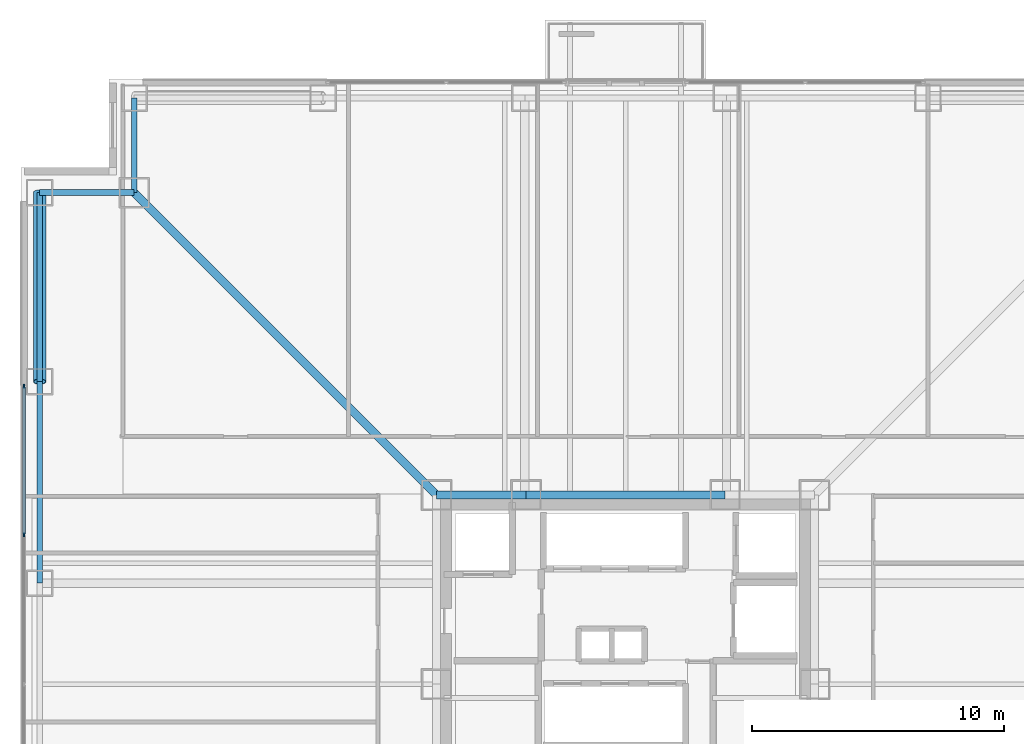
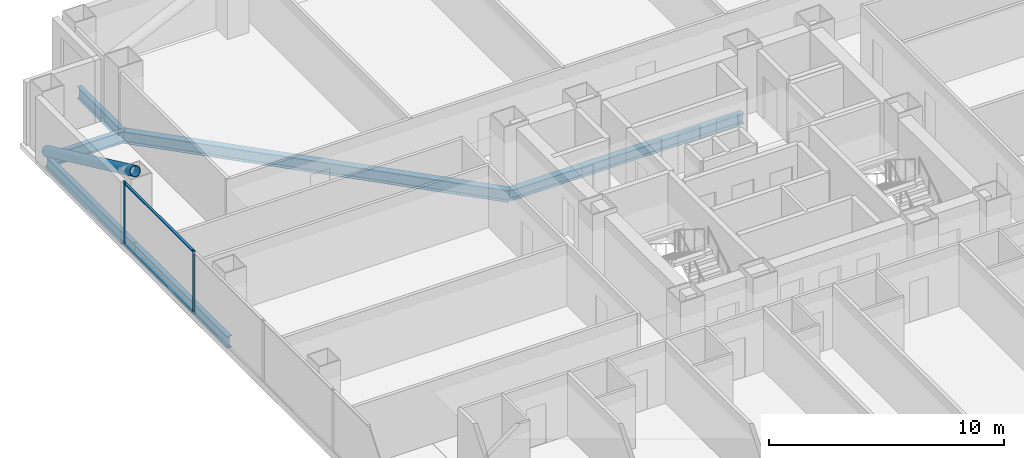
# One storey, part 7 of 16: 7 beams, 5 members, 1 element without a shape of its own.
"""IFC4 building model written with IfcOpenShell, lengths in metres."""

from ifc_helpers import new_model, si_unit, direction, frame, origin, origin_2d, place, context, subcontext, project, spatial, rectangle, hollow_circle, i_section, extrude, material, layer, layer_set, material_profile, profile_set, type_object, element, aggregate, save


model = new_model("IFC4")

# Units and contexts
model_context = context("Model", 3, precision=1e-05, world=origin(), true_north=direction((0.0, 1.0)))
body_context = subcontext(model_context, "Body", "Model", "MODEL_VIEW")
ifc_project = project(units=[si_unit("LENGTHUNIT", "METRE"), si_unit("AREAUNIT", "SQUARE_METRE"), si_unit("VOLUMEUNIT", "CUBIC_METRE"), si_unit("PLANEANGLEUNIT", "RADIAN"), si_unit("MASSUNIT", "GRAM", prefix="KILO")], contexts=[model_context])

# Site, building, storey
site_placement = place(None, origin())
site = spatial("IfcSite", under=ifc_project, at=site_placement, CompositionType="ELEMENT")
building_placement = place(site_placement, origin())
building = spatial("IfcBuilding", under=site, at=building_placement, Name="Trevonay Congress Spire", CompositionType="ELEMENT")
storey_placement = place(building_placement, frame((0.0, 0.0, 65.5)))
storey = spatial("IfcBuildingStorey", under=building, at=storey_placement, Name="L16", CompositionType="ELEMENT", Elevation=65.5)

# Beams
ifc_material_1 = material(Name="Steel ASTM A572 Grade 50", Category="steel")
ifc_material_profile_1 = material_profile(ifc_material_1, i_section(OverallWidth=0.31201171875, OverallDepth=0.54296875, WebThickness=0.0126953125, FlangeThickness=0.020263671875, FilletRadius=0.014892578125, at=origin_2d()), Name="W530x150")
ifc_profile_set_1 = profile_set([ifc_material_profile_1], Name="Steel ASTM A572 Grade 50")
beam_type_1 = type_object("IfcBeamType", Name="BM-GIRD-W530X150", PredefinedType="BEAM", material=ifc_profile_set_1)
beam_1_placement = place(storey_placement, frame((-7.5, 7.5, -0.521484375), z_axis=(1.0, 0.0, 0.0), x_axis=(0.0, 1.0, 0.0)))
element("IfcBeam", 1, at=beam_1_placement, inside=storey, type_object=beam_type_1, Name="L16 structural beam BM-L16-CR-N1", PredefinedType="BEAM", context=body_context, shape_type="SweptSolid", body=[
    extrude(i_section(OverallWidth=0.31201171875, OverallDepth=0.54296875, WebThickness=0.0126953125, FlangeThickness=0.020263671875, FilletRadius=0.014892578125, at=origin_2d()), origin(), (0.0, 0.0, 1.0), 3.550048828125),
])
beam_2_placement = place(storey_placement, frame((-3.949951171875, 7.5, -0.521484375), z_axis=(1.0, 0.0, 0.0), x_axis=(0.0, 1.0, 0.0)))
element("IfcBeam", 2, at=beam_2_placement, inside=storey, type_object=beam_type_1, Name="L16 structural beam BM-L16-CR-N2", PredefinedType="BEAM", context=body_context, shape_type="SweptSolid", body=[
    extrude(i_section(OverallWidth=0.31201171875, OverallDepth=0.54296875, WebThickness=0.0126953125, FlangeThickness=0.020263671875, FilletRadius=0.014892578125, at=origin_2d()), origin(), (0.0, 0.0, 1.0), 7.89990234375),
])
ifc_material_profile_2 = material_profile(ifc_material_1, i_section(OverallWidth=0.324951171875, OverallDepth=0.615966796875, WebThickness=0.013916015625, FlangeThickness=0.021484375, FilletRadius=0.01806640625, at=origin_2d()), Name="W610x174")
ifc_profile_set_2 = profile_set([ifc_material_profile_2], Name="Steel ASTM A572 Grade 50")
beam_type_2 = type_object("IfcBeamType", Name="BM-GIRD-W610X174", PredefinedType="BEAM", material=ifc_profile_set_2)
beam_3_placement = place(storey_placement, frame((-7.5, 7.5, -0.55810546875), z_axis=(-0.707106781187, 0.707106781187, 0.0), x_axis=(-0.707106781187, -0.707106781187, 0.0)))
element("IfcBeam", 3, at=beam_3_placement, inside=storey, type_object=beam_type_2, Name="L16 structural beam BM-L16-CDNW", PredefinedType="BEAM", context=body_context, shape_type="SweptSolid", body=[
    extrude(i_section(OverallWidth=0.324951171875, OverallDepth=0.615966796875, WebThickness=0.013916015625, FlangeThickness=0.021484375, FilletRadius=0.01806640625, at=origin_2d()), origin(), (0.0, 0.0, 1.0), 16.970458984375),
])
ifc_material_profile_3 = material_profile(ifc_material_1, i_section(OverallWidth=0.22998046875, OverallDepth=0.616943359375, WebThickness=0.01318359375, FlangeThickness=0.022216796875, FilletRadius=0.01611328125, at=origin_2d()), Name="W610x140")
ifc_profile_set_3 = profile_set([ifc_material_profile_3], Name="Steel ASTM A572 Grade 50")
beam_type_3 = type_object("IfcBeamType", Name="BM-RING-W610X140", PredefinedType="BEAM", material=ifc_profile_set_3)
beam_4_placement = place(storey_placement, frame((-23.25, 4.0, -0.55859375), z_axis=(0.0, 1.0, 0.0), x_axis=(-1.0, 0.0, 0.0)))
element("IfcBeam", 4, at=beam_4_placement, inside=storey, type_object=beam_type_3, Name="L16 structural beam BM-L16-PW4", PredefinedType="BEAM", context=body_context, shape_type="SweptSolid", body=[
    extrude(i_section(OverallWidth=0.22998046875, OverallDepth=0.616943359375, WebThickness=0.01318359375, FlangeThickness=0.022216796875, FilletRadius=0.01611328125, at=origin_2d()), origin(), (0.0, 0.0, 1.0), 8.0),
])
beam_5_placement = place(storey_placement, frame((-23.25, 12.0, -0.55859375), z_axis=(0.0, 1.0, 0.0), x_axis=(-1.0, 0.0, 0.0)))
element("IfcBeam", 5, at=beam_5_placement, inside=storey, type_object=beam_type_3, Name="L16 structural beam BM-L16-PW5", PredefinedType="BEAM", context=body_context, shape_type="SweptSolid", body=[
    extrude(i_section(OverallWidth=0.22998046875, OverallDepth=0.616943359375, WebThickness=0.01318359375, FlangeThickness=0.022216796875, FilletRadius=0.01611328125, at=origin_2d()), origin(), (0.0, 0.0, 1.0), 7.5),
])
for number, where, z_axis, x_axis, name in (
    (6, (-19.5, 23.25, -0.55859375), (0.0, -1.0, 0.0), (1.0, 0.0, 0.0), "L16 structural beam BM-L16-N1NW"),
    (7, (-23.25, 19.5, -0.55859375), (1.0, 0.0, 0.0), (0.0, 1.0, 0.0), "L16 structural beam BM-L16-N2NW"),
):
    element("IfcBeam", number, at=place(storey_placement, frame(where, z_axis=z_axis, x_axis=x_axis)), inside=storey, type_object=beam_type_3, Name=name, PredefinedType="BEAM", context=body_context, shape_type="SweptSolid", body=[
        extrude(i_section(OverallWidth=0.22998046875, OverallDepth=0.616943359375, WebThickness=0.01318359375, FlangeThickness=0.022216796875, FilletRadius=0.01611328125, at=origin_2d()), origin(), (0.0, 0.0, 1.0), 3.75),
    ])

# Curtain wall, members
ifc_material_2 = material(Name="Pale Anodised Aluminium EN AW-6063-T6", Category="aluminium")
ifc_layer = layer(ifc_material_2, 0.179931640625, Name="Pale Anodised Aluminium EN AW-6063-T6")
ifc_layer_set = layer_set([ifc_layer], Name="Pale Anodised Aluminium EN AW-6063-T6")
curtain_wall_type = type_object("IfcCurtainWallType", Name="CW-SYS02-HOTEL-PALE-METAL", PredefinedType="NOTDEFINED", material=ifc_layer_set)
curtain_wall_placement = place(storey_placement, origin())
curtain_wall = element("IfcCurtainWall", 8, at=curtain_wall_placement, inside=storey, type_object=curtain_wall_type, Name="L16 W unitised curtain wall", PredefinedType="NOTDEFINED")
ifc_material_profile_4 = material_profile(ifc_material_2, rectangle(XDim=0.06005859375, YDim=0.159912109375, at=origin_2d()), Name="CW-MULLION-160-ALUMINIUM")
ifc_profile_set_4 = profile_set([ifc_material_profile_4], Name="Pale Anodised Aluminium EN AW-6063-T6")
member_type_1 = type_object("IfcMemberType", Name="CW-MULLION-160-ALUMINIUM", PredefinedType="MULLION", material=ifc_profile_set_4)
member_1_placement = place(storey_placement, frame((-23.8798828125, 5.925048828125, 0.0), z_axis=(0.0, 0.0, 1.0), x_axis=(-1.0, 0.0, 0.0)))
member_1 = element("IfcMember", 9, at=member_1_placement, type_object=member_type_1, Name="CW02 mullion 4", PredefinedType="MULLION", context=body_context, shape_type="SweptSolid", body=[
    extrude(rectangle(XDim=0.06005859375, YDim=0.159912109375, at=origin_2d()), origin(), (0.0, 0.0, 1.0), 3.25),
])
member_2_placement = place(storey_placement, frame((-23.8798828125, 11.820068359375, 0.0), z_axis=(0.0, 0.0, 1.0), x_axis=(-1.0, 0.0, 0.0)))
member_2 = element("IfcMember", 10, at=member_2_placement, type_object=member_type_1, Name="CW02 mullion 5", PredefinedType="MULLION", context=body_context, shape_type="SweptSolid", body=[
    extrude(rectangle(XDim=0.06005859375, YDim=0.159912109375, at=origin_2d()), origin(), (0.0, 0.0, 1.0), 3.25),
])
ifc_material_profile_5 = material_profile(ifc_material_2, rectangle(XDim=0.1201171875, YDim=0.06005859375, at=origin_2d()), Name="CW-TRANSOM-120-ALUMINIUM")
ifc_profile_set_5 = profile_set([ifc_material_profile_5], Name="Pale Anodised Aluminium EN AW-6063-T6")
member_type_2 = type_object("IfcMemberType", Name="CW-TRANSOM-120-ALUMINIUM", PredefinedType="USERDEFINED", material=ifc_profile_set_5)
member_3_placement = place(storey_placement, frame((-23.8798828125, 5.955078125, 0.06005859375), z_axis=(0.0, 1.0, 0.0), x_axis=(-1.0, 0.0, 0.0)))
member_3 = element("IfcMember", 11, at=member_3_placement, type_object=member_type_2, Name="CW02 transom 4.1", ObjectType="TRANSOM", PredefinedType="USERDEFINED", context=body_context, shape_type="SweptSolid", body=[
    extrude(rectangle(XDim=0.1201171875, YDim=0.06005859375, at=origin_2d()), origin(), (0.0, 0.0, 1.0), 5.8349609375),
])
member_4_placement = place(storey_placement, frame((-23.8798828125, 5.955078125, 3.18994140625), z_axis=(0.0, 1.0, 0.0), x_axis=(-1.0, 0.0, 0.0)))
member_4 = element("IfcMember", 12, at=member_4_placement, type_object=member_type_2, Name="CW02 transom 4.2", ObjectType="TRANSOM", PredefinedType="USERDEFINED", context=body_context, shape_type="SweptSolid", body=[
    extrude(rectangle(XDim=0.1201171875, YDim=0.06005859375, at=origin_2d()), origin(), (0.0, 0.0, 1.0), 5.8349609375),
])
aggregate(curtain_wall, [member_1, member_2, member_3, member_4])

# Member
ifc_material_profile_6 = material_profile(ifc_material_1, hollow_circle(Radius=0.25390625, WallThickness=0.02490234375, at=origin_2d()), Name="CHS 508x25")
ifc_profile_set_6 = profile_set([ifc_material_profile_6], Name="Steel ASTM A572 Grade 50")
member_type_3 = type_object("IfcMemberType", Name="MBR-TUBE-CHS508", PredefinedType="BRACE", material=ifc_profile_set_6)
member_5_placement = place(storey_placement, frame((-23.25, 19.5, -0.050048828125), z_axis=(0.0, -0.906183139995, 0.422885465331), x_axis=(1.0, 0.0, 0.0)))
element("IfcMember", 13, at=member_5_placement, inside=storey, type_object=member_type_3, Name="L16 perimeter braced-tube diagonal W4", PredefinedType="BRACE", context=body_context, shape_type="SweptSolid", body=[
    extrude(hollow_circle(Radius=0.25390625, WallThickness=0.02490234375, at=origin_2d()), origin(), (0.0, 0.0, 1.0), 8.2763671875),
])

save(model, "model.ifc")
